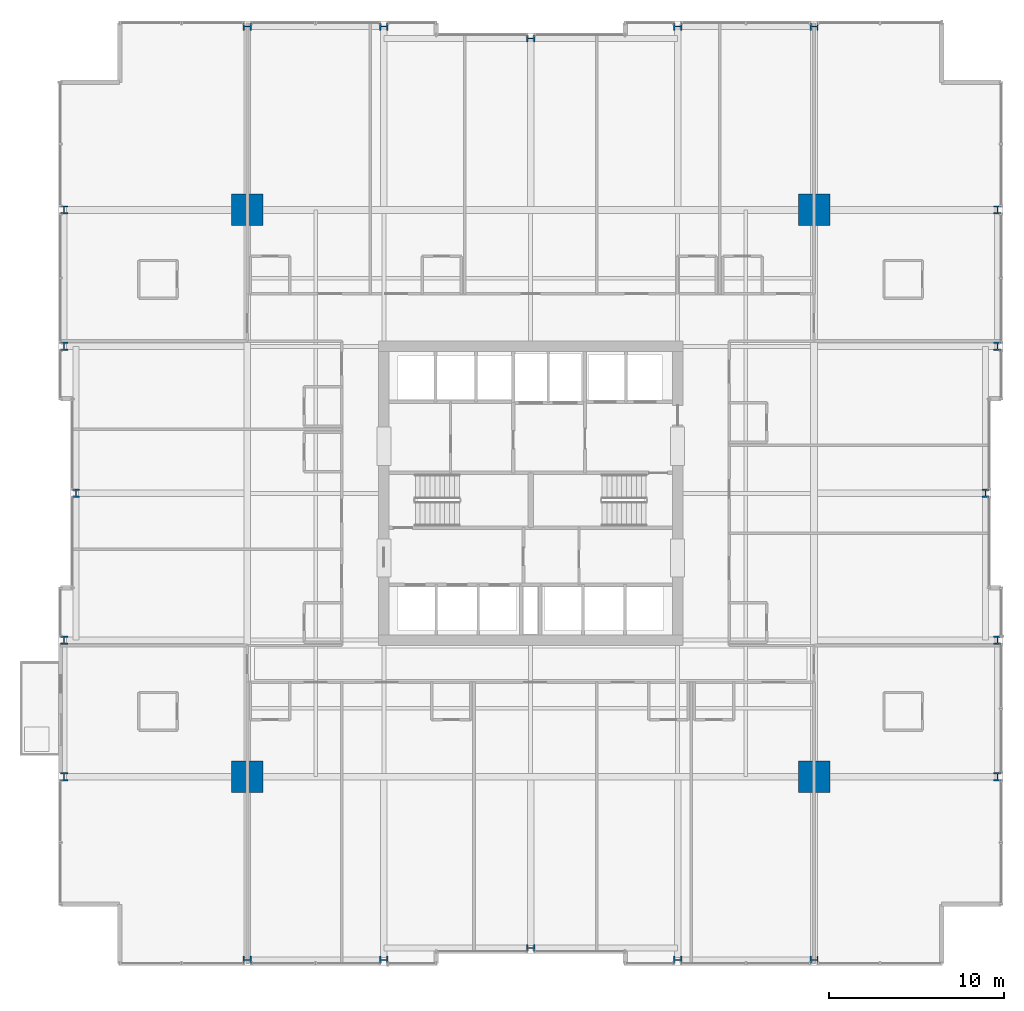
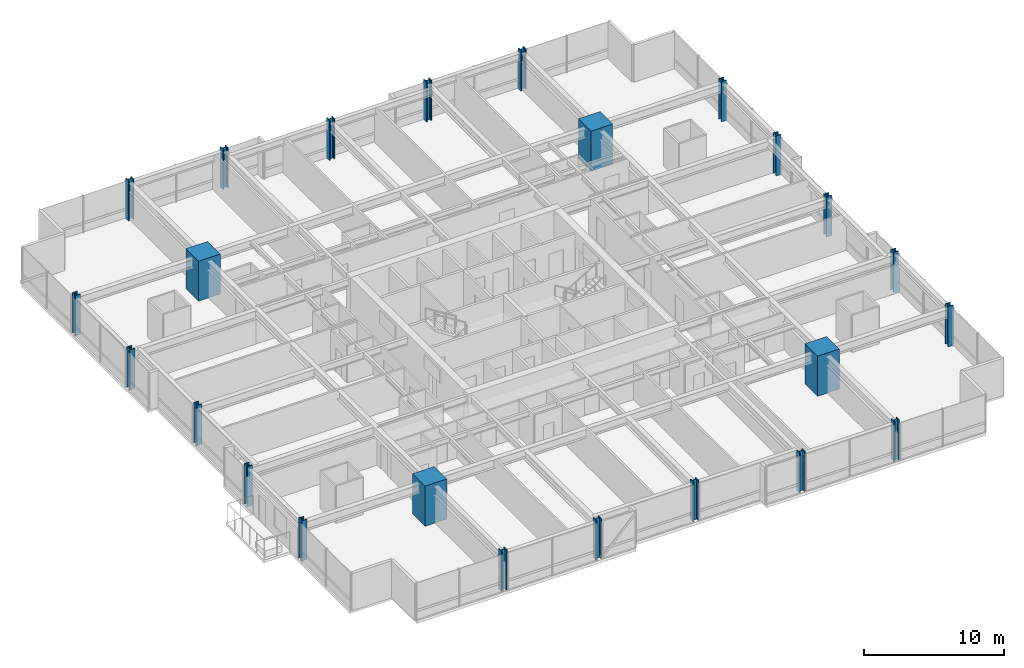
# One storey, part 1 of 38: 24 columns.
"""IFC4 building model written with IfcOpenShell, lengths in metres."""

from ifc_helpers import new_model, si_unit, direction, frame, origin, origin_2d, place, context, subcontext, project, spatial, rectangle, i_section, extrude, material, material_profile, profile_set, type_object, element, save


model = new_model("IFC4")

# Units and contexts
model_context = context("Model", 3, precision=1e-05, world=origin(), true_north=direction((0.0, 1.0)))
body_context = subcontext(model_context, "Body", "Model", "MODEL_VIEW")
ifc_project = project(units=[si_unit("LENGTHUNIT", "METRE"), si_unit("AREAUNIT", "SQUARE_METRE"), si_unit("VOLUMEUNIT", "CUBIC_METRE"), si_unit("PLANEANGLEUNIT", "RADIAN"), si_unit("MASSUNIT", "GRAM", prefix="KILO")], contexts=[model_context])

# Site, building, storey
site_placement = place(None, origin())
site = spatial("IfcSite", under=ifc_project, at=site_placement, CompositionType="ELEMENT")
building_placement = place(site_placement, origin())
building = spatial("IfcBuilding", under=site, at=building_placement, Name="Drelvath Grand Hotel", CompositionType="ELEMENT")
storey_placement = place(building_placement, frame((0.0, 0.0, 61.199951171875)))
storey = spatial("IfcBuildingStorey", under=building, at=storey_placement, Name="L14", CompositionType="ELEMENT", Elevation=61.199951171875)

# Columns
ifc_material_1 = material(Name="Concrete f'c 70 MPa", Category="concrete")
ifc_material_profile_1 = material_profile(ifc_material_1, rectangle(XDim=1.800048828125, YDim=1.800048828125, at=origin_2d()), Name="MC1800X1800")
ifc_profile_set_1 = profile_set([ifc_material_profile_1], Name="Concrete f'c 70 MPa")
column_type_1 = type_object("IfcColumnType", Name="Composite Mega Column MC1800X1800", PredefinedType="COLUMN", material=ifc_profile_set_1)
for number, where, z_axis, x_axis, name in (
    (1, (-16.199951171875, 10.800048828125, 0.0), (0.0, 0.0, 1.0), (1.0, 0.0, 0.0), "L14 Composite Mega Column MC-SW"),
    (2, (16.199951171875, 10.800048828125, 0.0), (0.0, 0.0, 1.0), (1.0, 0.0, 0.0), "L14 Composite Mega Column MC-SE"),
    (3, (-16.199951171875, 43.199951171875, 0.0), (0.0, 0.0, 1.0), (1.0, 0.0, 0.0), "L14 Composite Mega Column MC-NW"),
    (4, (16.199951171875, 43.199951171875, 0.0), (0.0, 0.0, 1.0), (1.0, 0.0, 0.0), "L14 Composite Mega Column MC-NE"),
):
    element("IfcColumn", number, at=place(storey_placement, frame(where, z_axis=z_axis, x_axis=x_axis)), inside=storey, type_object=column_type_1, Name=name, PredefinedType="COLUMN", context=body_context, shape_type="SweptSolid", body=[
        extrude(rectangle(XDim=1.800048828125, YDim=1.800048828125, at=origin_2d()), origin(), (0.0, 0.0, 1.0), 3.5),
    ])
ifc_material_2 = material(Name="Steel ASTM A913 Gr 65", Category="steel")
ifc_material_profile_2 = material_profile(ifc_material_2, i_section(OverallWidth=0.424072265625, OverallDepth=0.47412109375, WebThickness=0.047607421875, FlangeThickness=0.0771484375, FilletRadius=0.030029296875, at=origin_2d()), Name="W14X426")
ifc_profile_set_2 = profile_set([ifc_material_profile_2], Name="Steel ASTM A913 Gr 65")
column_type_2 = type_object("IfcColumnType", Name="Perimeter Steel Column W14X426", PredefinedType="COLUMN", material=ifc_profile_set_2)
for number, where, z_axis, x_axis, name in (
    (5, (-26.679931640625, 10.800048828125, 0.0), (0.0, 0.0, 1.0), (1.0, 0.0, 0.0), "L14 Structural Column TCW-C"),
    (6, (26.679931640625, 10.800048828125, 0.0), (0.0, 0.0, 1.0), (1.0, 0.0, 0.0), "L14 Structural Column TCE-C"),
    (7, (-26.679931640625, 18.60009765625, 0.0), (0.0, 0.0, 1.0), (1.0, 0.0, 0.0), "L14 Structural Column TCW-D"),
    (8, (26.679931640625, 18.60009765625, 0.0), (0.0, 0.0, 1.0), (1.0, 0.0, 0.0), "L14 Structural Column TCE-D"),
    (9, (-26.0, 27.0, 0.0), (0.0, 0.0, 1.0), (1.0, 0.0, 0.0), "L14 Structural Column TCW-E"),
    (10, (26.0, 27.0, 0.0), (0.0, 0.0, 1.0), (1.0, 0.0, 0.0), "L14 Structural Column TCE-E"),
    (11, (-26.679931640625, 35.39990234375, 0.0), (0.0, 0.0, 1.0), (1.0, 0.0, 0.0), "L14 Structural Column TCW-F"),
    (12, (26.679931640625, 35.39990234375, 0.0), (0.0, 0.0, 1.0), (1.0, 0.0, 0.0), "L14 Structural Column TCE-F"),
    (13, (-26.679931640625, 43.199951171875, 0.0), (0.0, 0.0, 1.0), (1.0, 0.0, 0.0), "L14 Structural Column TCW-G"),
    (14, (26.679931640625, 43.199951171875, 0.0), (0.0, 0.0, 1.0), (1.0, 0.0, 0.0), "L14 Structural Column TCE-G"),
    (15, (-16.199951171875, 0.320068359375, 0.0), (0.0, 0.0, 1.0), (0.0, 1.0, 0.0), "L14 Structural Column TCS-3"),
    (16, (-16.199951171875, 53.679931640625, 0.0), (0.0, 0.0, 1.0), (0.0, 1.0, 0.0), "L14 Structural Column TCN-3"),
    (17, (-8.39990234375, 0.320068359375, 0.0), (0.0, 0.0, 1.0), (0.0, 1.0, 0.0), "L14 Structural Column TCS-4"),
    (18, (-8.39990234375, 53.679931640625, 0.0), (0.0, 0.0, 1.0), (0.0, 1.0, 0.0), "L14 Structural Column TCN-4"),
    (19, (0.0, 1.0, 0.0), (0.0, 0.0, 1.0), (0.0, 1.0, 0.0), "L14 Structural Column TCS-5"),
    (20, (0.0, 53.0, 0.0), (0.0, 0.0, 1.0), (0.0, 1.0, 0.0), "L14 Structural Column TCN-5"),
    (21, (8.39990234375, 0.320068359375, 0.0), (0.0, 0.0, 1.0), (0.0, 1.0, 0.0), "L14 Structural Column TCS-6"),
    (22, (8.39990234375, 53.679931640625, 0.0), (0.0, 0.0, 1.0), (0.0, 1.0, 0.0), "L14 Structural Column TCN-6"),
    (23, (16.199951171875, 0.320068359375, 0.0), (0.0, 0.0, 1.0), (0.0, 1.0, 0.0), "L14 Structural Column TCS-7"),
    (24, (16.199951171875, 53.679931640625, 0.0), (0.0, 0.0, 1.0), (0.0, 1.0, 0.0), "L14 Structural Column TCN-7"),
):
    element("IfcColumn", number, at=place(storey_placement, frame(where, z_axis=z_axis, x_axis=x_axis)), inside=storey, type_object=column_type_2, Name=name, PredefinedType="COLUMN", context=body_context, shape_type="SweptSolid", body=[
        extrude(i_section(OverallWidth=0.424072265625, OverallDepth=0.47412109375, WebThickness=0.047607421875, FlangeThickness=0.0771484375, FilletRadius=0.030029296875, at=origin_2d()), origin(), (0.0, 0.0, 1.0), 3.4970703125),
    ])

save(model, "model.ifc")
